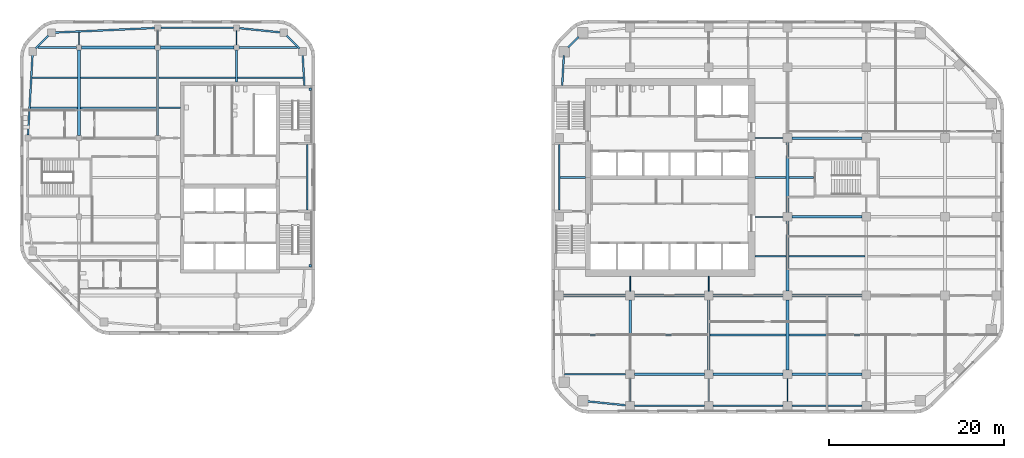
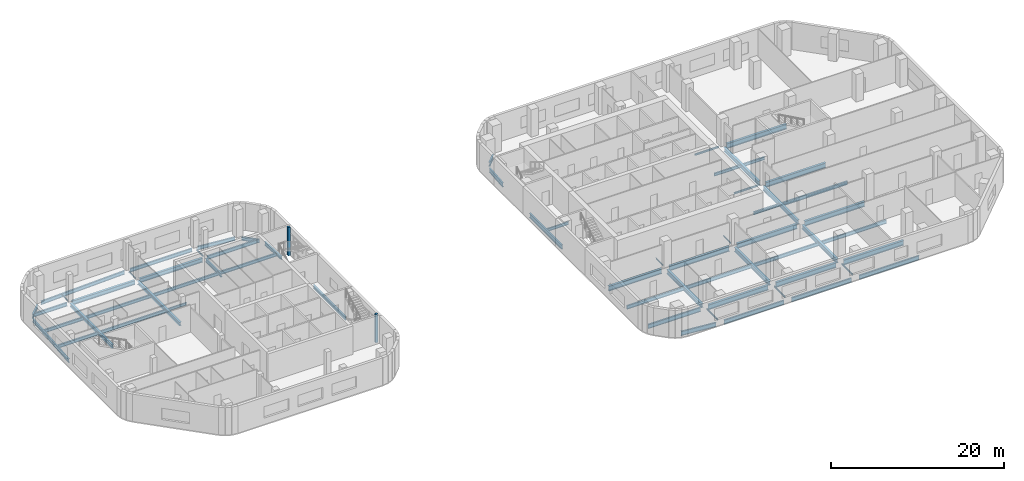
# One storey, part 2 of 14: 63 beams, 2 members.
"""IFC4 building model written with IfcOpenShell, lengths in metres."""

from ifc_helpers import new_model, si_unit, direction, frame, origin, origin_2d, place, context, subcontext, project, spatial, rectangle, i_section, extrude, material, material_profile, profile_set, type_object, element, save


model = new_model("IFC4")

# Units and contexts
model_context = context("Model", 3, precision=1e-05, world=origin(), true_north=direction((0.0, 1.0)))
body_context = subcontext(model_context, "Body", "Model", "MODEL_VIEW")
ifc_project = project(units=[si_unit("LENGTHUNIT", "METRE"), si_unit("AREAUNIT", "SQUARE_METRE"), si_unit("VOLUMEUNIT", "CUBIC_METRE"), si_unit("PLANEANGLEUNIT", "RADIAN"), si_unit("MASSUNIT", "GRAM", prefix="KILO")], contexts=[model_context])

# Site, building, storey
site_placement = place(None, origin())
site = spatial("IfcSite", under=ifc_project, at=site_placement, CompositionType="ELEMENT")
building_placement = place(site_placement, origin())
building = spatial("IfcBuilding", under=site, at=building_placement, Name="Cinnabar Reach Civic Tower", CompositionType="ELEMENT")
storey_placement = place(building_placement, frame((0.0, 0.0, 104.0)))
storey = spatial("IfcBuildingStorey", under=building, at=storey_placement, Name="L24", CompositionType="ELEMENT", Elevation=104.0)

# Beams
ifc_material_1 = material(Name="Steel Q355B", Category="steel")
ifc_material_profile_1 = material_profile(ifc_material_1, i_section(OverallWidth=0.3, OverallDepth=0.488, WebThickness=0.011, FlangeThickness=0.018, FilletRadius=0.016, at=origin_2d()), Name="HM488x300x11x18")
ifc_profile_set_1 = profile_set([ifc_material_profile_1], Name="Steel Q355B")
beam_type_1 = type_object("IfcBeamType", Name="HM488x300x11x18 beam R 120", PredefinedType="BEAM", material=ifc_profile_set_1)
for number, where, z_axis, x_axis, name in (
    (1, (-54.0, 36.302, -0.394), (0.0, 1.0, 0.0), (-1.0, 0.0, 0.0), "Girder T2 L24 4"),
    (2, (-45.0, 36.302, -0.394), (0.0, 1.0, 0.0), (-1.0, 0.0, 0.0), "Girder T2 L24 9"),
):
    element("IfcBeam", number, at=place(storey_placement, frame(where, z_axis=z_axis, x_axis=x_axis)), inside=storey, type_object=beam_type_1, Name=name, PredefinedType="BEAM", context=body_context, shape_type="SweptSolid", body=[
        extrude(i_section(OverallWidth=0.3, OverallDepth=0.488, WebThickness=0.011, FlangeThickness=0.018, FilletRadius=0.016, at=origin_2d()), origin(), (0.0, 0.0, 1.0), 9.746),
    ])
ifc_material_profile_2 = material_profile(ifc_material_1, i_section(OverallWidth=0.3, OverallDepth=0.588, WebThickness=0.012, FlangeThickness=0.02, FilletRadius=0.016, at=origin_2d()), Name="HM588x300x12x20")
ifc_profile_set_2 = profile_set([ifc_material_profile_2], Name="Steel Q355B")
beam_type_2 = type_object("IfcBeamType", Name="HM588x300x12x20 beam R 120", PredefinedType="BEAM", material=ifc_profile_set_2)
for number, where, z_axis, x_axis, name in (
    (3, (-53.698, 46.35, -0.444), (1.0, 0.0, 0.0), (0.0, 1.0, 0.0), "Girder T2 L24 11"),
    (4, (-44.698, 46.35, -0.444), (1.0, 0.0, 0.0), (0.0, 1.0, 0.0), "Girder T2 L24 12"),
):
    element("IfcBeam", number, at=place(storey_placement, frame(where, z_axis=z_axis, x_axis=x_axis)), inside=storey, type_object=beam_type_2, Name=name, PredefinedType="BEAM", context=body_context, shape_type="SweptSolid", body=[
        extrude(i_section(OverallWidth=0.3, OverallDepth=0.588, WebThickness=0.012, FlangeThickness=0.02, FilletRadius=0.016, at=origin_2d()), origin(), (0.0, 0.0, 1.0), 8.396),
    ])
ifc_material_profile_3 = material_profile(ifc_material_1, i_section(OverallWidth=0.302, OverallDepth=0.594, WebThickness=0.014, FlangeThickness=0.023, FilletRadius=0.016, at=origin_2d()), Name="HM594x302x14x23")
ifc_profile_set_3 = profile_set([ifc_material_profile_3], Name="Steel Q355B")
beam_type_3 = type_object("IfcBeamType", Name="HM594x302x14x23 beam R 180", PredefinedType="BEAM", material=ifc_profile_set_3)
for number, where, z_axis, x_axis, name in (
    (5, (9.0, 9.502, -0.447), (0.0, 1.0, 0.0), (-1.0, 0.0, 0.0), "Girder T1 L24 2"),
    (6, (18.0, 9.502, -0.447), (0.0, 1.0, 0.0), (-1.0, 0.0, 0.0), "Girder T1 L24 6"),
    (7, (27.0, 9.502, -0.447), (0.0, 1.0, 0.0), (-1.0, 0.0, 0.0), "Girder T1 L24 10"),
    (8, (27.0, 18.502, -0.447), (0.0, 1.0, 0.0), (-1.0, 0.0, 0.0), "Girder T1 L24 11"),
    (9, (27.0, 27.502, -0.447), (0.0, 1.0, 0.0), (-1.0, 0.0, 0.0), "Girder T1 L24 12"),
):
    element("IfcBeam", number, at=place(storey_placement, frame(where, z_axis=z_axis, x_axis=x_axis)), inside=storey, type_object=beam_type_3, Name=name, PredefinedType="BEAM", context=body_context, shape_type="SweptSolid", body=[
        extrude(i_section(OverallWidth=0.302, OverallDepth=0.594, WebThickness=0.014, FlangeThickness=0.023, FilletRadius=0.016, at=origin_2d()), origin(), (0.0, 0.0, 1.0), 7.996),
    ])
ifc_material_profile_4 = material_profile(ifc_material_1, i_section(OverallWidth=0.099, OverallDepth=0.198, WebThickness=0.0045, FlangeThickness=0.007, FilletRadius=0.013, at=origin_2d()), Name="HN200x100x5.5x8")
ifc_profile_set_4 = profile_set([ifc_material_profile_4], Name="Steel Q355B")
beam_type_4 = type_object("IfcBeamType", Name="HN200x100x5.5x8 beam R 120", PredefinedType="BEAM", material=ifc_profile_set_4)
beam_1_placement = place(storey_placement, frame((-54.0, 46.652, -0.249), z_axis=(0.0, 1.0, 0.0), x_axis=(-1.0, 0.0, 0.0)))
element("IfcBeam", 10, at=beam_1_placement, inside=storey, type_object=beam_type_4, Name="Girder T2 L24 5", PredefinedType="BEAM", context=body_context, shape_type="SweptSolid", body=[
    extrude(i_section(OverallWidth=0.099, OverallDepth=0.198, WebThickness=0.0045, FlangeThickness=0.007, FilletRadius=0.013, at=origin_2d()), origin(), (0.0, 0.0, 1.0), 1.4361),
])
for number, where, z_axis, x_axis, name in (
    (11, (-45.0, 46.652, -0.249), (0.0, 1.0, 0.0), (-1.0, 0.0, 0.0), "Girder T2 L24 10"),
    (12, (-36.0, 46.652, -0.249), (0.0, 1.0, 0.0), (-1.0, 0.0, 0.0), "Girder T2 L24 14"),
):
    element("IfcBeam", number, at=place(storey_placement, frame(where, z_axis=z_axis, x_axis=x_axis)), inside=storey, type_object=beam_type_4, Name=name, PredefinedType="BEAM", context=body_context, shape_type="SweptSolid", body=[
        extrude(i_section(OverallWidth=0.099, OverallDepth=0.198, WebThickness=0.0045, FlangeThickness=0.007, FilletRadius=0.013, at=origin_2d()), origin(), (0.0, 0.0, 1.0), 1.596),
    ])
ifc_material_profile_5 = material_profile(ifc_material_1, i_section(OverallWidth=0.099, OverallDepth=0.198, WebThickness=0.0045, FlangeThickness=0.007, FilletRadius=0.013, at=origin_2d()), Name="HN200x100x5.5x8")
ifc_profile_set_5 = profile_set([ifc_material_profile_5], Name="Steel Q355B")
beam_type_5 = type_object("IfcBeamType", Name="HN200x100x5.5x8 beam R 180", PredefinedType="BEAM", material=ifc_profile_set_5)
beam_2_placement = place(storey_placement, frame((9.0, 5.902, -0.249), z_axis=(0.0, 1.0, 0.0), x_axis=(-1.0, 0.0, 0.0)))
element("IfcBeam", 13, at=beam_2_placement, inside=storey, type_object=beam_type_5, Name="Girder T1 L24 1", PredefinedType="BEAM", context=body_context, shape_type="SweptSolid", body=[
    extrude(i_section(OverallWidth=0.099, OverallDepth=0.198, WebThickness=0.0045, FlangeThickness=0.007, FilletRadius=0.013, at=origin_2d()), origin(), (0.0, 0.0, 1.0), 2.596),
])
beam_3_placement = place(storey_placement, frame((9.0, 18.502, -0.249), z_axis=(0.0, 1.0, 0.0), x_axis=(-1.0, 0.0, 0.0)))
element("IfcBeam", 14, at=beam_3_placement, inside=storey, type_object=beam_type_5, Name="Girder T1 L24 3", PredefinedType="BEAM", context=body_context, shape_type="SweptSolid", body=[
    extrude(i_section(OverallWidth=0.099, OverallDepth=0.198, WebThickness=0.0045, FlangeThickness=0.007, FilletRadius=0.013, at=origin_2d()), origin(), (0.0, 0.0, 1.0), 1.696),
])
beam_4_placement = place(storey_placement, frame((18.0, 5.902, -0.249), z_axis=(0.0, 1.0, 0.0), x_axis=(-1.0, 0.0, 0.0)))
element("IfcBeam", 15, at=beam_4_placement, inside=storey, type_object=beam_type_5, Name="Girder T1 L24 5", PredefinedType="BEAM", context=body_context, shape_type="SweptSolid", body=[
    extrude(i_section(OverallWidth=0.099, OverallDepth=0.198, WebThickness=0.0045, FlangeThickness=0.007, FilletRadius=0.013, at=origin_2d()), origin(), (0.0, 0.0, 1.0), 2.596),
])
beam_5_placement = place(storey_placement, frame((18.0, 18.502, -0.249), z_axis=(0.0, 1.0, 0.0), x_axis=(-1.0, 0.0, 0.0)))
element("IfcBeam", 16, at=beam_5_placement, inside=storey, type_object=beam_type_5, Name="Girder T1 L24 7", PredefinedType="BEAM", context=body_context, shape_type="SweptSolid", body=[
    extrude(i_section(OverallWidth=0.099, OverallDepth=0.198, WebThickness=0.0045, FlangeThickness=0.007, FilletRadius=0.013, at=origin_2d()), origin(), (0.0, 0.0, 1.0), 1.696),
])
beam_6_placement = place(storey_placement, frame((27.0, 5.902, -0.249), z_axis=(0.0, 1.0, 0.0), x_axis=(-1.0, 0.0, 0.0)))
element("IfcBeam", 17, at=beam_6_placement, inside=storey, type_object=beam_type_5, Name="Girder T1 L24 9", PredefinedType="BEAM", context=body_context, shape_type="SweptSolid", body=[
    extrude(i_section(OverallWidth=0.099, OverallDepth=0.198, WebThickness=0.0045, FlangeThickness=0.007, FilletRadius=0.013, at=origin_2d()), origin(), (0.0, 0.0, 1.0), 2.596),
])
ifc_material_profile_6 = material_profile(ifc_material_1, i_section(OverallWidth=0.124, OverallDepth=0.248, WebThickness=0.005, FlangeThickness=0.008, FilletRadius=0.013, at=origin_2d()), Name="HN250x125x6x9")
ifc_profile_set_6 = profile_set([ifc_material_profile_6], Name="Steel Q355B")
beam_type_6 = type_object("IfcBeamType", Name="HN250x125x6x9 beam R 180", PredefinedType="BEAM", material=ifc_profile_set_6)
for number, where, z_axis, x_axis, name in (
    (18, (23.302, 27.0, -0.274), (1.0, 0.0, 0.0), (0.0, 1.0, 0.0), "Girder T1 L24 12"),
    (19, (23.302, 36.0, -0.274), (1.0, 0.0, 0.0), (0.0, 1.0, 0.0), "Girder T1 L24 16"),
):
    element("IfcBeam", number, at=place(storey_placement, frame(where, z_axis=z_axis, x_axis=x_axis)), inside=storey, type_object=beam_type_6, Name=name, PredefinedType="BEAM", context=body_context, shape_type="SweptSolid", body=[
        extrude(i_section(OverallWidth=0.124, OverallDepth=0.248, WebThickness=0.005, FlangeThickness=0.008, FilletRadius=0.013, at=origin_2d()), origin(), (0.0, 0.0, 1.0), 3.196),
    ])
ifc_material_profile_7 = material_profile(ifc_material_1, i_section(OverallWidth=0.175, OverallDepth=0.35, WebThickness=0.007, FlangeThickness=0.011, FilletRadius=0.013, at=origin_2d()), Name="HN350x175x7x11")
ifc_profile_set_7 = profile_set([ifc_material_profile_7], Name="Steel Q355B")
beam_type_7 = type_object("IfcBeamType", Name="HN350x175x7x11 beam R 120", PredefinedType="BEAM", material=ifc_profile_set_7)
beam_7_placement = place(storey_placement, frame((-44.848, 39.45, -0.325), z_axis=(1.0, 0.0, 0.0), x_axis=(0.0, 1.0, 0.0)))
element("IfcBeam", 20, at=beam_7_placement, inside=storey, type_object=beam_type_7, Name="Secondary beam T2 L24 9", PredefinedType="BEAM", context=body_context, shape_type="SweptSolid", body=[
    extrude(i_section(OverallWidth=0.175, OverallDepth=0.35, WebThickness=0.007, FlangeThickness=0.011, FilletRadius=0.013, at=origin_2d()), origin(), (0.0, 0.0, 1.0), 2.446),
])
ifc_material_profile_8 = material_profile(ifc_material_1, i_section(OverallWidth=0.199, OverallDepth=0.396, WebThickness=0.007, FlangeThickness=0.011, FilletRadius=0.013, at=origin_2d()), Name="HN396x199x7x11")
ifc_profile_set_8 = profile_set([ifc_material_profile_8], Name="Steel Q355B")
beam_type_8 = type_object("IfcBeamType", Name="HN396x199x7x11 beam R 180", PredefinedType="BEAM", material=ifc_profile_set_8)
beam_8_placement = place(storey_placement, frame((23.302, 22.5, -0.348), z_axis=(1.0, 0.0, 0.0), x_axis=(0.0, 1.0, 0.0)))
element("IfcBeam", 21, at=beam_8_placement, inside=storey, type_object=beam_type_8, Name="Secondary beam T1 L24 7", PredefinedType="BEAM", context=body_context, shape_type="SweptSolid", body=[
    extrude(i_section(OverallWidth=0.199, OverallDepth=0.396, WebThickness=0.007, FlangeThickness=0.011, FilletRadius=0.013, at=origin_2d()), origin(), (0.0, 0.0, 1.0), 3.545),
])
beam_9_placement = place(storey_placement, frame((1.002, 31.5, -0.348), z_axis=(1.0, 0.0, 0.0), x_axis=(0.0, 1.0, 0.0)))
element("IfcBeam", 22, at=beam_9_placement, inside=storey, type_object=beam_type_8, Name="Secondary beam T1 L24 11", PredefinedType="BEAM", context=body_context, shape_type="SweptSolid", body=[
    extrude(i_section(OverallWidth=0.199, OverallDepth=0.396, WebThickness=0.007, FlangeThickness=0.011, FilletRadius=0.013, at=origin_2d()), origin(), (0.0, 0.0, 1.0), 2.896),
])
beam_10_placement = place(storey_placement, frame((23.302, 31.5, -0.348), z_axis=(1.0, 0.0, 0.0), x_axis=(0.0, 1.0, 0.0)))
element("IfcBeam", 23, at=beam_10_placement, inside=storey, type_object=beam_type_8, Name="Secondary beam T1 L24 12", PredefinedType="BEAM", context=body_context, shape_type="SweptSolid", body=[
    extrude(i_section(OverallWidth=0.199, OverallDepth=0.396, WebThickness=0.007, FlangeThickness=0.011, FilletRadius=0.013, at=origin_2d()), origin(), (0.0, 0.0, 1.0), 3.545),
])
beam_11_placement = place(storey_placement, frame((27.153, 31.5, -0.348), z_axis=(1.0, 0.0, 0.0), x_axis=(0.0, 1.0, 0.0)))
element("IfcBeam", 24, at=beam_11_placement, inside=storey, type_object=beam_type_8, Name="Secondary beam T1 L24 13", PredefinedType="BEAM", context=body_context, shape_type="SweptSolid", body=[
    extrude(i_section(OverallWidth=0.199, OverallDepth=0.396, WebThickness=0.007, FlangeThickness=0.011, FilletRadius=0.013, at=origin_2d()), origin(), (0.0, 0.0, 1.0), 2.845),
])
ifc_material_profile_9 = material_profile(ifc_material_1, i_section(OverallWidth=0.2, OverallDepth=0.45, WebThickness=0.009, FlangeThickness=0.014, FilletRadius=0.016, at=origin_2d()), Name="HN450x200x9x14")
ifc_profile_set_9 = profile_set([ifc_material_profile_9], Name="Steel Q355B")
beam_type_9 = type_object("IfcBeamType", Name="HN450x200x9x14 beam R 120", PredefinedType="BEAM", material=ifc_profile_set_9)
beam_12_placement = place(storey_placement, frame((-59.5551, 39.45, -0.375), z_axis=(1.0, 0.0, 0.0), x_axis=(0.0, 1.0, 0.0)))
element("IfcBeam", 25, at=beam_12_placement, inside=storey, type_object=beam_type_9, Name="Secondary beam T2 L24 7", PredefinedType="BEAM", context=body_context, shape_type="SweptSolid", body=[
    extrude(i_section(OverallWidth=0.2, OverallDepth=0.45, WebThickness=0.009, FlangeThickness=0.014, FilletRadius=0.016, at=origin_2d()), origin(), (0.0, 0.0, 1.0), 5.4031),
])
beam_13_placement = place(storey_placement, frame((-53.848, 39.45, -0.375), z_axis=(1.0, 0.0, 0.0), x_axis=(0.0, 1.0, 0.0)))
element("IfcBeam", 26, at=beam_13_placement, inside=storey, type_object=beam_type_9, Name="Secondary beam T2 L24 8", PredefinedType="BEAM", context=body_context, shape_type="SweptSolid", body=[
    extrude(i_section(OverallWidth=0.2, OverallDepth=0.45, WebThickness=0.009, FlangeThickness=0.014, FilletRadius=0.016, at=origin_2d()), origin(), (0.0, 0.0, 1.0), 8.696),
])
beam_14_placement = place(storey_placement, frame((-59.3623, 42.9, -0.375), z_axis=(1.0, 0.0, 0.0), x_axis=(0.0, 1.0, 0.0)))
element("IfcBeam", 27, at=beam_14_placement, inside=storey, type_object=beam_type_9, Name="Secondary beam T2 L24 10", PredefinedType="BEAM", context=body_context, shape_type="SweptSolid", body=[
    extrude(i_section(OverallWidth=0.2, OverallDepth=0.45, WebThickness=0.009, FlangeThickness=0.014, FilletRadius=0.016, at=origin_2d()), origin(), (0.0, 0.0, 1.0), 5.2103),
])
beam_15_placement = place(storey_placement, frame((-53.848, 42.9, -0.375), z_axis=(1.0, 0.0, 0.0), x_axis=(0.0, 1.0, 0.0)))
element("IfcBeam", 28, at=beam_15_placement, inside=storey, type_object=beam_type_9, Name="Secondary beam T2 L24 11", PredefinedType="BEAM", context=body_context, shape_type="SweptSolid", body=[
    extrude(i_section(OverallWidth=0.2, OverallDepth=0.45, WebThickness=0.009, FlangeThickness=0.014, FilletRadius=0.016, at=origin_2d()), origin(), (0.0, 0.0, 1.0), 8.696),
])
beam_16_placement = place(storey_placement, frame((-44.848, 42.9, -0.375), z_axis=(1.0, 0.0, 0.0), x_axis=(0.0, 1.0, 0.0)))
element("IfcBeam", 29, at=beam_16_placement, inside=storey, type_object=beam_type_9, Name="Secondary beam T2 L24 12", PredefinedType="BEAM", context=body_context, shape_type="SweptSolid", body=[
    extrude(i_section(OverallWidth=0.2, OverallDepth=0.45, WebThickness=0.009, FlangeThickness=0.014, FilletRadius=0.016, at=origin_2d()), origin(), (0.0, 0.0, 1.0), 8.746),
])
beam_17_placement = place(storey_placement, frame((-35.898, 42.9, -0.375), z_axis=(1.0, 0.0, 0.0), x_axis=(0.0, 1.0, 0.0)))
element("IfcBeam", 30, at=beam_17_placement, inside=storey, type_object=beam_type_9, Name="Secondary beam T2 L24 13", PredefinedType="BEAM", context=body_context, shape_type="SweptSolid", body=[
    extrude(i_section(OverallWidth=0.2, OverallDepth=0.45, WebThickness=0.009, FlangeThickness=0.014, FilletRadius=0.016, at=origin_2d()), origin(), (0.0, 0.0, 1.0), 7.5103),
])
ifc_material_profile_10 = material_profile(ifc_material_1, i_section(OverallWidth=0.199, OverallDepth=0.496, WebThickness=0.009, FlangeThickness=0.014, FilletRadius=0.016, at=origin_2d()), Name="HN496x199x9x14")
ifc_profile_set_10 = profile_set([ifc_material_profile_10], Name="Steel Q355B")
beam_type_10 = type_object("IfcBeamType", Name="HN496x199x9x14 beam R 180", PredefinedType="BEAM", material=ifc_profile_set_10)
beam_18_placement = place(storey_placement, frame((1.2536, 13.5, -0.398), z_axis=(1.0, 0.0, 0.0), x_axis=(0.0, 1.0, 0.0)))
element("IfcBeam", 31, at=beam_18_placement, inside=storey, type_object=beam_type_10, Name="Secondary beam T1 L24 1", PredefinedType="BEAM", context=body_context, shape_type="SweptSolid", body=[
    extrude(i_section(OverallWidth=0.199, OverallDepth=0.496, WebThickness=0.009, FlangeThickness=0.014, FilletRadius=0.016, at=origin_2d()), origin(), (0.0, 0.0, 1.0), 7.5934),
])
for number, where, z_axis, x_axis, name in (
    (32, (9.153, 13.5, -0.398), (1.0, 0.0, 0.0), (0.0, 1.0, 0.0), "Secondary beam T1 L24 2"),
    (33, (18.153, 13.5, -0.398), (1.0, 0.0, 0.0), (0.0, 1.0, 0.0), "Secondary beam T1 L24 3"),
    (34, (27.153, 13.5, -0.398), (1.0, 0.0, 0.0), (0.0, 1.0, 0.0), "Secondary beam T1 L24 4"),
    (35, (27.153, 22.5, -0.398), (1.0, 0.0, 0.0), (0.0, 1.0, 0.0), "Secondary beam T1 L24 8"),
):
    element("IfcBeam", number, at=place(storey_placement, frame(where, z_axis=z_axis, x_axis=x_axis)), inside=storey, type_object=beam_type_10, Name=name, PredefinedType="BEAM", context=body_context, shape_type="SweptSolid", body=[
        extrude(i_section(OverallWidth=0.199, OverallDepth=0.496, WebThickness=0.009, FlangeThickness=0.014, FilletRadius=0.016, at=origin_2d()), origin(), (0.0, 0.0, 1.0), 8.694),
    ])
ifc_material_profile_11 = material_profile(ifc_material_1, i_section(OverallWidth=0.2, OverallDepth=0.5, WebThickness=0.01, FlangeThickness=0.016, FilletRadius=0.016, at=origin_2d()), Name="HN500x200x10x16")
ifc_profile_set_11 = profile_set([ifc_material_profile_11], Name="Steel Q355B")
beam_type_11 = type_object("IfcBeamType", Name="HN500x200x10x16 beam R 120", PredefinedType="BEAM", material=ifc_profile_set_11)
beam_19_placement = place(storey_placement, frame((-27.9, 27.752, -0.4), z_axis=(0.0, 1.0, 0.0), x_axis=(-1.0, 0.0, 0.0)))
element("IfcBeam", 36, at=beam_19_placement, inside=storey, type_object=beam_type_11, Name="Edge beam T2 L24 6", PredefinedType="BEAM", context=body_context, shape_type="SweptSolid", body=[
    extrude(i_section(OverallWidth=0.2, OverallDepth=0.5, WebThickness=0.01, FlangeThickness=0.016, FilletRadius=0.016, at=origin_2d()), origin(), (0.0, 0.0, 1.0), 7.496),
])
beam_20_placement = place(storey_placement, frame((-28.2354, 42.002, -0.4), z_axis=(-0.055775670196, 0.99844332569, 0.0), x_axis=(-0.99844332569, -0.055775670196, 0.0)))
element("IfcBeam", 37, at=beam_20_placement, inside=storey, type_object=beam_type_11, Name="Edge beam T2 L24 7", PredefinedType="BEAM", context=body_context, shape_type="SweptSolid", body=[
    extrude(i_section(OverallWidth=0.2, OverallDepth=0.5, WebThickness=0.01, FlangeThickness=0.016, FilletRadius=0.016, at=origin_2d()), origin(), (0.0, 0.0, 1.0), 3.5697),
])
beam_21_placement = place(storey_placement, frame((-28.7851, 46.2301, -0.4), z_axis=(-0.707106781187, 0.707106781187, 0.0), x_axis=(-0.707106781187, -0.707106781187, 0.0)))
element("IfcBeam", 38, at=beam_21_placement, inside=storey, type_object=beam_type_11, Name="Edge beam T2 L24 8", PredefinedType="BEAM", context=body_context, shape_type="SweptSolid", body=[
    extrude(i_section(OverallWidth=0.2, OverallDepth=0.5, WebThickness=0.01, FlangeThickness=0.016, FilletRadius=0.016, at=origin_2d()), origin(), (0.0, 0.0, 1.0), 2.0998),
])
beam_22_placement = place(storey_placement, frame((-30.9339, 48.0809, -0.4), z_axis=(-0.994792087401, 0.101924986363, 0.0), x_axis=(-0.101924986363, -0.994792087401, 0.0)))
element("IfcBeam", 39, at=beam_22_placement, inside=storey, type_object=beam_type_11, Name="Edge beam T2 L24 9", PredefinedType="BEAM", context=body_context, shape_type="SweptSolid", body=[
    extrude(i_section(OverallWidth=0.2, OverallDepth=0.5, WebThickness=0.01, FlangeThickness=0.016, FilletRadius=0.016, at=origin_2d()), origin(), (0.0, 0.0, 1.0), 4.7388),
])
beam_23_placement = place(storey_placement, frame((-36.352, 48.6, -0.4), z_axis=(-1.0, 0.0, 0.0), x_axis=(0.0, -1.0, 0.0)))
element("IfcBeam", 40, at=beam_23_placement, inside=storey, type_object=beam_type_11, Name="Edge beam T2 L24 10", PredefinedType="BEAM", context=body_context, shape_type="SweptSolid", body=[
    extrude(i_section(OverallWidth=0.2, OverallDepth=0.5, WebThickness=0.01, FlangeThickness=0.016, FilletRadius=0.016, at=origin_2d()), origin(), (0.0, 0.0, 1.0), 8.296),
])
beam_24_placement = place(storey_placement, frame((-45.352, 48.584, -0.4), z_axis=(-0.998964961738, -0.045486319033, 0.0), x_axis=(0.045486319033, -0.998964961738, 0.0)))
element("IfcBeam", 41, at=beam_24_placement, inside=storey, type_object=beam_type_11, Name="Edge beam T2 L24 11", PredefinedType="BEAM", context=body_context, shape_type="SweptSolid", body=[
    extrude(i_section(OverallWidth=0.2, OverallDepth=0.5, WebThickness=0.01, FlangeThickness=0.016, FilletRadius=0.016, at=origin_2d()), origin(), (0.0, 0.0, 1.0), 11.476),
])
beam_25_placement = place(storey_placement, frame((-57.4801, 47.7149, -0.4), z_axis=(-0.707106781187, -0.707106781187, 0.0), x_axis=(0.707106781187, -0.707106781187, 0.0)))
element("IfcBeam", 42, at=beam_25_placement, inside=storey, type_object=beam_type_11, Name="Edge beam T2 L24 12", PredefinedType="BEAM", context=body_context, shape_type="SweptSolid", body=[
    extrude(i_section(OverallWidth=0.2, OverallDepth=0.5, WebThickness=0.01, FlangeThickness=0.016, FilletRadius=0.016, at=origin_2d()), origin(), (0.0, 0.0, 1.0), 2.0998),
])
beam_26_placement = place(storey_placement, frame((-59.3155, 45.5661, -0.4), z_axis=(-0.055783895065, -0.998442866193, 0.0), x_axis=(0.998442866193, -0.055783895065, 0.0)))
element("IfcBeam", 43, at=beam_26_placement, inside=storey, type_object=beam_type_11, Name="Edge beam T2 L24 13", PredefinedType="BEAM", context=body_context, shape_type="SweptSolid", body=[
    extrude(i_section(OverallWidth=0.2, OverallDepth=0.5, WebThickness=0.01, FlangeThickness=0.016, FilletRadius=0.016, at=origin_2d()), origin(), (0.0, 0.0, 1.0), 9.2285),
])
beam_27_placement = place(storey_placement, frame((-58.7008, 46.35, -0.4), z_axis=(1.0, 0.0, 0.0), x_axis=(0.0, 1.0, 0.0)))
element("IfcBeam", 44, at=beam_27_placement, inside=storey, type_object=beam_type_11, Name="Girder T2 L24 10", PredefinedType="BEAM", context=body_context, shape_type="SweptSolid", body=[
    extrude(i_section(OverallWidth=0.2, OverallDepth=0.5, WebThickness=0.01, FlangeThickness=0.016, FilletRadius=0.016, at=origin_2d()), origin(), (0.0, 0.0, 1.0), 4.3988),
])
beam_28_placement = place(storey_placement, frame((-35.698, 46.35, -0.4), z_axis=(1.0, 0.0, 0.0), x_axis=(0.0, 1.0, 0.0)))
element("IfcBeam", 45, at=beam_28_placement, inside=storey, type_object=beam_type_11, Name="Girder T2 L24 13", PredefinedType="BEAM", context=body_context, shape_type="SweptSolid", body=[
    extrude(i_section(OverallWidth=0.2, OverallDepth=0.5, WebThickness=0.01, FlangeThickness=0.016, FilletRadius=0.016, at=origin_2d()), origin(), (0.0, 0.0, 1.0), 6.6488),
])
beam_29_placement = place(storey_placement, frame((-36.0, 42.402, -0.4), z_axis=(0.0, 1.0, 0.0), x_axis=(-1.0, 0.0, 0.0)))
element("IfcBeam", 46, at=beam_29_placement, inside=storey, type_object=beam_type_11, Name="Girder T2 L24 13", PredefinedType="BEAM", context=body_context, shape_type="SweptSolid", body=[
    extrude(i_section(OverallWidth=0.2, OverallDepth=0.5, WebThickness=0.01, FlangeThickness=0.016, FilletRadius=0.016, at=origin_2d()), origin(), (0.0, 0.0, 1.0), 3.646),
])
ifc_material_profile_12 = material_profile(ifc_material_1, i_section(OverallWidth=0.199, OverallDepth=0.596, WebThickness=0.01, FlangeThickness=0.015, FilletRadius=0.016, at=origin_2d()), Name="HN596x199x10x15")
ifc_profile_set_12 = profile_set([ifc_material_profile_12], Name="Steel Q355B")
beam_type_12 = type_object("IfcBeamType", Name="HN596x199x10x15 beam R 180", PredefinedType="BEAM", material=ifc_profile_set_12)
beam_30_placement = place(storey_placement, frame((1.5051, 9.0, -0.448), z_axis=(1.0, 0.0, 0.0), x_axis=(0.0, 1.0, 0.0)))
element("IfcBeam", 47, at=beam_30_placement, inside=storey, type_object=beam_type_12, Name="Girder T1 L24 1", PredefinedType="BEAM", context=body_context, shape_type="SweptSolid", body=[
    extrude(i_section(OverallWidth=0.199, OverallDepth=0.596, WebThickness=0.01, FlangeThickness=0.015, FilletRadius=0.016, at=origin_2d()), origin(), (0.0, 0.0, 1.0), 6.9929),
])
ifc_material_profile_13 = material_profile(ifc_material_1, i_section(OverallWidth=0.2, OverallDepth=0.6, WebThickness=0.011, FlangeThickness=0.017, FilletRadius=0.016, at=origin_2d()), Name="HN600x200x11x17")
ifc_profile_set_13 = profile_set([ifc_material_profile_13], Name="Steel Q355B")
beam_type_13 = type_object("IfcBeamType", Name="HN600x200x11x17 beam R 180", PredefinedType="BEAM", material=ifc_profile_set_13)
beam_31_placement = place(storey_placement, frame((4.0839, 5.9037, -0.45), z_axis=(0.994791228755, -0.101933366432, 0.0), x_axis=(0.101933366432, 0.994791228755, 0.0)))
element("IfcBeam", 48, at=beam_31_placement, inside=storey, type_object=beam_type_13, Name="Edge beam T1 L24 1", PredefinedType="BEAM", context=body_context, shape_type="SweptSolid", body=[
    extrude(i_section(OverallWidth=0.2, OverallDepth=0.6, WebThickness=0.011, FlangeThickness=0.017, FilletRadius=0.016, at=origin_2d()), origin(), (0.0, 0.0, 1.0), 4.4372),
])
for number, where, z_axis, x_axis, name in (
    (49, (9.502, 5.4, -0.45), (1.0, 0.0, 0.0), (0.0, 1.0, 0.0), "Edge beam T1 L24 2"),
    (50, (18.502, 5.4, -0.45), (1.0, 0.0, 0.0), (0.0, 1.0, 0.0), "Edge beam T1 L24 3"),
    (51, (27.502, 5.4, -0.45), (1.0, 0.0, 0.0), (0.0, 1.0, 0.0), "Edge beam T1 L24 4"),
):
    element("IfcBeam", number, at=place(storey_placement, frame(where, z_axis=z_axis, x_axis=x_axis)), inside=storey, type_object=beam_type_13, Name=name, PredefinedType="BEAM", context=body_context, shape_type="SweptSolid", body=[
        extrude(i_section(OverallWidth=0.2, OverallDepth=0.6, WebThickness=0.011, FlangeThickness=0.017, FilletRadius=0.016, at=origin_2d()), origin(), (0.0, 0.0, 1.0), 7.996),
    ])
beam_32_placement = place(storey_placement, frame((3.1199, 47.5649, -0.45), z_axis=(-0.707106781187, -0.707106781187, 0.0), x_axis=(0.707106781187, -0.707106781187, 0.0)))
element("IfcBeam", 52, at=beam_32_placement, inside=storey, type_object=beam_type_13, Name="Edge beam T1 L24 19", PredefinedType="BEAM", context=body_context, shape_type="SweptSolid", body=[
    extrude(i_section(OverallWidth=0.2, OverallDepth=0.6, WebThickness=0.011, FlangeThickness=0.017, FilletRadius=0.016, at=origin_2d()), origin(), (0.0, 0.0, 1.0), 1.6756),
])
beam_33_placement = place(storey_placement, frame((1.4262, 45.4161, -0.45), z_axis=(-0.055798816608, -0.998442032401, 0.0), x_axis=(0.998442032401, -0.055798816608, 0.0)))
element("IfcBeam", 53, at=beam_33_placement, inside=storey, type_object=beam_type_13, Name="Edge beam T1 L24 20", PredefinedType="BEAM", context=body_context, shape_type="SweptSolid", body=[
    extrude(i_section(OverallWidth=0.2, OverallDepth=0.6, WebThickness=0.011, FlangeThickness=0.017, FilletRadius=0.016, at=origin_2d()), origin(), (0.0, 0.0, 1.0), 3.4194),
])
beam_34_placement = place(storey_placement, frame((0.9, 35.248, -0.45), z_axis=(0.0, -1.0, 0.0), x_axis=(1.0, 0.0, 0.0)))
element("IfcBeam", 54, at=beam_34_placement, inside=storey, type_object=beam_type_13, Name="Edge beam T1 L24 21", PredefinedType="BEAM", context=body_context, shape_type="SweptSolid", body=[
    extrude(i_section(OverallWidth=0.2, OverallDepth=0.6, WebThickness=0.011, FlangeThickness=0.017, FilletRadius=0.016, at=origin_2d()), origin(), (0.0, 0.0, 1.0), 7.496),
])
ifc_material_profile_14 = material_profile(ifc_material_1, i_section(OverallWidth=0.3, OverallDepth=0.692, WebThickness=0.013, FlangeThickness=0.02, FilletRadius=0.016, at=origin_2d()), Name="HN692x300x13x20")
ifc_profile_set_14 = profile_set([ifc_material_profile_14], Name="Steel Q355B")
beam_type_14 = type_object("IfcBeamType", Name="HN692x300x13x20 beam R 180", PredefinedType="BEAM", material=ifc_profile_set_14)
for number, where, z_axis, x_axis, name in (
    (55, (9.502, 9.0, -0.496), (1.0, 0.0, 0.0), (0.0, 1.0, 0.0), "Girder T1 L24 2"),
    (56, (18.502, 9.0, -0.496), (1.0, 0.0, 0.0), (0.0, 1.0, 0.0), "Girder T1 L24 3"),
    (57, (27.502, 9.0, -0.496), (1.0, 0.0, 0.0), (0.0, 1.0, 0.0), "Girder T1 L24 4"),
):
    element("IfcBeam", number, at=place(storey_placement, frame(where, z_axis=z_axis, x_axis=x_axis)), inside=storey, type_object=beam_type_14, Name=name, PredefinedType="BEAM", context=body_context, shape_type="SweptSolid", body=[
        extrude(i_section(OverallWidth=0.3, OverallDepth=0.692, WebThickness=0.013, FlangeThickness=0.02, FilletRadius=0.016, at=origin_2d()), origin(), (0.0, 0.0, 1.0), 7.996),
    ])
beam_35_placement = place(storey_placement, frame((1.402, 18.0, -0.496), z_axis=(1.0, 0.0, 0.0), x_axis=(0.0, 1.0, 0.0)))
element("IfcBeam", 58, at=beam_35_placement, inside=storey, type_object=beam_type_14, Name="Girder T1 L24 6", PredefinedType="BEAM", context=body_context, shape_type="SweptSolid", body=[
    extrude(i_section(OverallWidth=0.3, OverallDepth=0.692, WebThickness=0.013, FlangeThickness=0.02, FilletRadius=0.016, at=origin_2d()), origin(), (0.0, 0.0, 1.0), 7.096),
])
for number, where, z_axis, x_axis, name in (
    (59, (9.502, 18.0, -0.496), (1.0, 0.0, 0.0), (0.0, 1.0, 0.0), "Girder T1 L24 7"),
    (60, (18.502, 18.0, -0.496), (1.0, 0.0, 0.0), (0.0, 1.0, 0.0), "Girder T1 L24 8"),
    (61, (27.502, 18.0, -0.496), (1.0, 0.0, 0.0), (0.0, 1.0, 0.0), "Girder T1 L24 9"),
    (62, (27.502, 27.0, -0.496), (1.0, 0.0, 0.0), (0.0, 1.0, 0.0), "Girder T1 L24 13"),
    (63, (27.502, 36.0, -0.496), (1.0, 0.0, 0.0), (0.0, 1.0, 0.0), "Girder T1 L24 17"),
):
    element("IfcBeam", number, at=place(storey_placement, frame(where, z_axis=z_axis, x_axis=x_axis)), inside=storey, type_object=beam_type_14, Name=name, PredefinedType="BEAM", context=body_context, shape_type="SweptSolid", body=[
        extrude(i_section(OverallWidth=0.3, OverallDepth=0.692, WebThickness=0.013, FlangeThickness=0.02, FilletRadius=0.016, at=origin_2d()), origin(), (0.0, 0.0, 1.0), 7.996),
    ])

# Members
ifc_material_2 = material(Name="Concrete C40", Category="concrete")
ifc_material_profile_15 = material_profile(ifc_material_2, rectangle(XDim=0.3, YDim=0.3, at=origin_2d()), Name="C300")
ifc_profile_set_15 = profile_set([ifc_material_profile_15], Name="Concrete C40")
member_type = type_object("IfcMemberType", Name="T2 stair post 300", PredefinedType="STRUT", material=ifc_profile_set_15)
for number, where, z_axis, x_axis, name in (
    (64, (-27.55, 21.4, 0.0), (0.0, 0.0, 1.0), (1.0, 0.0, 0.0), "Stair post 1"),
    (65, (-27.55, 41.6, 0.0), (0.0, 0.0, 1.0), (1.0, 0.0, 0.0), "Stair post 2"),
):
    element("IfcMember", number, at=place(storey_placement, frame(where, z_axis=z_axis, x_axis=x_axis)), inside=storey, type_object=member_type, Name=name, PredefinedType="STRUT", context=body_context, shape_type="SweptSolid", body=[
        extrude(rectangle(XDim=0.3, YDim=0.3, at=origin_2d()), origin(), (0.0, 0.0, 1.0), 4.0),
    ])

save(model, "model.ifc")
